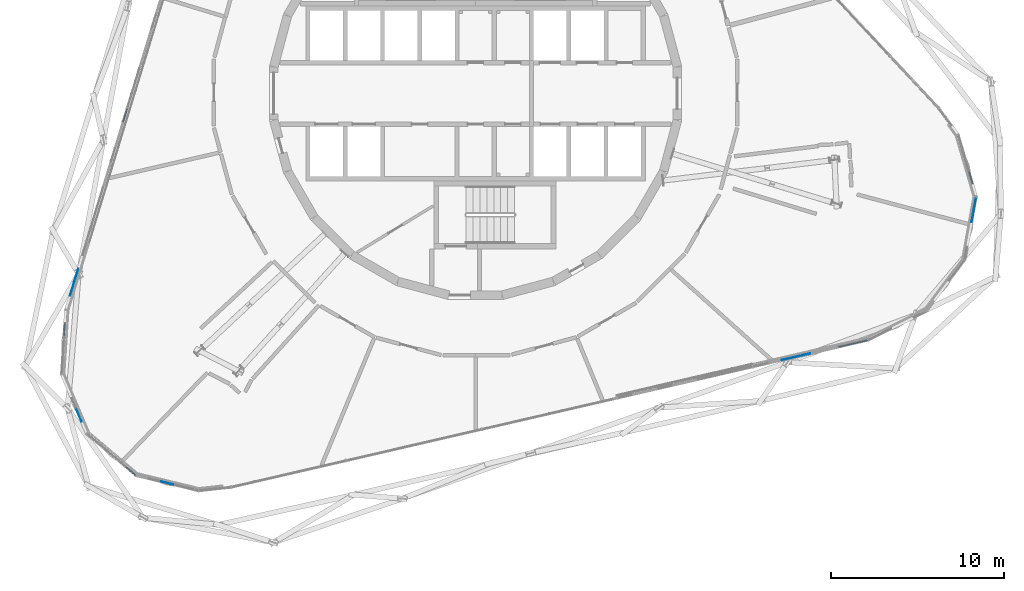
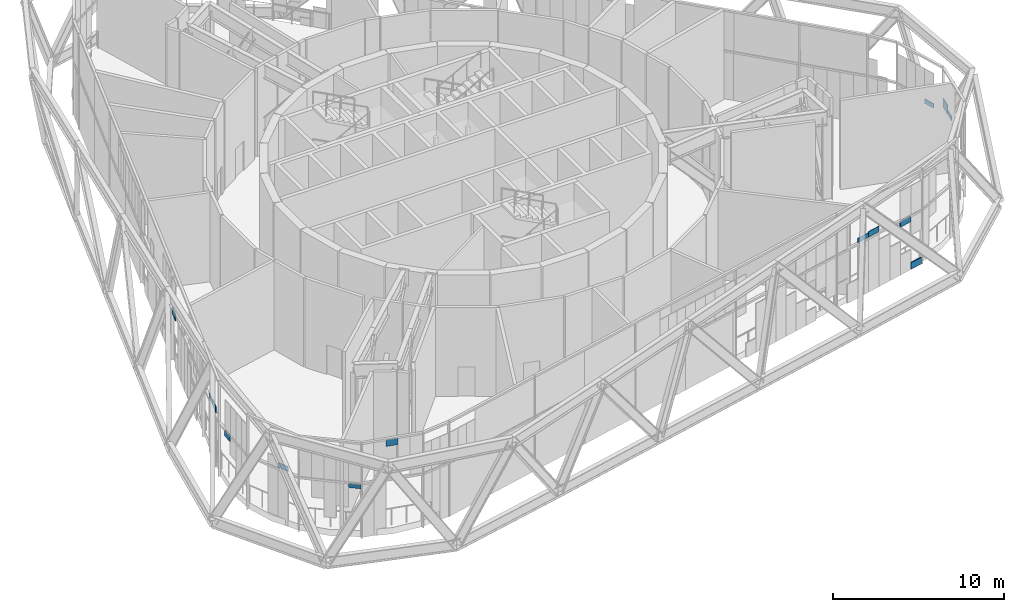
# One storey, part 17 of 25: 14 plates, 3 elements without a shape of their own.
"""IFC4 building model written with IfcOpenShell, lengths in metres."""

import ifcopenshell
import ifcopenshell.guid

model = None  # the IFC model being written
_history = None  # IfcOwnerHistory: only IFC2X3 demands one
_inside = {}  # id of a spatial element -> (the spatial element, [elements in it])
_under = {}  # id of a project, library or spatial element -> (it, [spatial elements below it])
_declared = {}  # id of a project -> (the project, [libraries it declares])
_typed = {}  # id of a type object -> (the type object, [elements of that type])
_made_of = {}  # id of a material, layer set ... -> (it, [elements and type objects made of it])


def new_model(schema):
    """Start an empty IFC model of exactly this schema.

    Asked for "IFC4X3", IfcOpenShell would pick the latest addendum, in which some entities
    have other attributes; the version numbers below select the first issue.
    IFC2X3 requires an IfcOwnerHistory on every rooted entity: one is made here for all.
    """
    global model, _history
    if schema == "IFC4X3":
        model = ifcopenshell.file(schema_version=(4, 3, 0, 0))
    else:
        model = ifcopenshell.file(schema=schema)
    _inside.clear()
    _under.clear()
    _declared.clear()
    _typed.clear()
    _made_of.clear()
    _history = None
    if model.schema == "IFC2X3":
        org = make("IfcOrganization", Name="unknown")
        user = make(
            "IfcPersonAndOrganization",
            ThePerson=make("IfcPerson", FamilyName="unknown"),
            TheOrganization=org,
        )
        app = make(
            "IfcApplication",
            ApplicationDeveloper=org,
            Version="unknown",
            ApplicationFullName="unknown",
            ApplicationIdentifier="unknown",
        )
        _history = make(
            "IfcOwnerHistory",
            OwningUser=user,
            OwningApplication=app,
            ChangeAction="ADDED",
            CreationDate=0,
        )
    return model


def make(cls, **values):
    """One entity of the class cls with the attributes given. An attribute that is None is left unset."""
    return model.create_entity(
        cls, **{name: value for name, value in values.items() if value is not None}
    )


def rooted(cls, **values):
    """An entity with a GlobalId (a new one), such as an element, a storey or a relation."""
    return make(cls, GlobalId=ifcopenshell.guid.new(), OwnerHistory=_history, **values)


def si_unit(unit_type, name, prefix=None):
    """IfcSIUnit, for example si_unit("LENGTHUNIT", "METRE", prefix="MILLI")."""
    return make("IfcSIUnit", UnitType=unit_type, Prefix=prefix, Name=name)


def assignment(units):
    """IfcUnitAssignment: the units of a project."""
    return None if units is None else make("IfcUnitAssignment", Units=units)


def point(xyz):
    """IfcCartesianPoint."""
    return None if xyz is None else make("IfcCartesianPoint", Coordinates=xyz)


def direction(xyz):
    """IfcDirection."""
    return None if xyz is None else make("IfcDirection", DirectionRatios=xyz)


def frame(location, z_axis=None, x_axis=None):
    """IfcAxis2Placement3D, a coordinate frame: its origin and axes. An axis left out is left unset."""
    return make(
        "IfcAxis2Placement3D",
        Location=point(location),
        Axis=direction(z_axis),
        RefDirection=direction(x_axis),
    )


def frame_2d(location, x_axis=None):
    """IfcAxis2Placement2D, a coordinate frame in the plane: its origin and x axis."""
    return make(
        "IfcAxis2Placement2D", Location=point(location), RefDirection=direction(x_axis)
    )


def origin():
    """The frame at (0, 0, 0) with its axes left unset."""
    return frame((0.0, 0.0, 0.0))


def origin_2d():
    """The frame at (0, 0) in the plane with its x axis left unset."""
    return frame_2d((0.0, 0.0))


def place(relative_to, where):
    """IfcLocalPlacement: puts the frame where relative to a parent placement (None: the world)."""
    return make(
        "IfcLocalPlacement", PlacementRelTo=relative_to, RelativePlacement=where
    )


def context(
    kind, dimensions, precision=None, world=None, true_north=None, identifier=None
):
    """IfcGeometricRepresentationContext, for example the 3D "Model" context."""
    return make(
        "IfcGeometricRepresentationContext",
        ContextIdentifier=identifier,
        ContextType=kind,
        CoordinateSpaceDimension=dimensions,
        Precision=precision,
        WorldCoordinateSystem=world,
        TrueNorth=true_north,
    )


def subcontext(parent, identifier, kind, view, scale=None):
    """IfcGeometricRepresentationSubContext, for example "Body" below "Model"."""
    return make(
        "IfcGeometricRepresentationSubContext",
        ContextIdentifier=identifier,
        ContextType=kind,
        ParentContext=parent,
        TargetScale=scale,
        TargetView=view,
    )


def project(units=None, contexts=None):
    """IfcProject with its units and contexts."""
    return rooted(
        "IfcProject",
        Name="project",
        RepresentationContexts=contexts,
        UnitsInContext=assignment(units),
    )


def spatial(cls, under=None, at=None, **own):
    """A site, building, storey or space (cls), placed at a placement, below another one or the project."""
    s = rooted(cls, ObjectPlacement=at, **own)
    if under is not None:
        _under.setdefault(under.id(), (under, []))[1].append(s)
    return s


def profile(cls, at=None, kind="AREA", **sizes):
    """A parametric profile (cls). Its sizes go by their IFC names, for example OverallWidth=200.0."""
    return make(cls, ProfileType=kind, Position=at, **sizes)


def rectangle(**sizes):
    """IfcRectangleProfileDef."""
    return profile("IfcRectangleProfileDef", **sizes)


def extrude(swept, where, along, depth):
    """IfcExtrudedAreaSolid: the profile swept, set in the frame where, extruded along a direction by depth."""
    return make(
        "IfcExtrudedAreaSolid",
        SweptArea=swept,
        Position=where,
        ExtrudedDirection=direction(along),
        Depth=depth,
    )


def shape(context_of_items, identifier, shape_type, items):
    """IfcShapeRepresentation: the items that make up one representation, for example the "Body"."""
    return make(
        "IfcShapeRepresentation",
        ContextOfItems=context_of_items,
        RepresentationIdentifier=identifier,
        RepresentationType=shape_type,
        Items=items,
    )


def material(Name=None, Category=None):
    """IfcMaterial."""
    return make("IfcMaterial", Name=Name, Category=Category)


def layer(
    of_material, thickness, ventilated=None, Name=None, Category=None, Priority=None
):
    """IfcMaterialLayer: one layer of a wall or slab, of a material (None: an air gap)."""
    return make(
        "IfcMaterialLayer",
        Material=of_material,
        LayerThickness=thickness,
        IsVentilated=ventilated,
        Name=Name,
        Category=Category,
        Priority=Priority,
    )


def layer_set(layers, Name=None):
    """IfcMaterialLayerSet."""
    return make("IfcMaterialLayerSet", MaterialLayers=layers, LayerSetName=Name)


def made_of(thing, what):
    """Note that an element or type object is made of a material, layer set ...; save() writes the relation."""
    if what is not None:
        _made_of.setdefault(what.id(), (what, []))[1].append(thing)
    return thing


def type_object(cls, material=None, **own):
    """A type object (cls), such as IfcWallType, which elements share."""
    return made_of(rooted(cls, **own), material)


def element(
    cls,
    number,
    at=None,
    inside=None,
    cuts=None,
    type_object=None,
    material=None,
    context=None,
    identifier="Body",
    shape_type=None,
    held_by="IfcProductDefinitionShape",
    body=None,
    shapes=None,
    **own,
):
    """One element of the class cls, such as IfcWall. Its Tag is "e" and its number.

    at: its placement. inside: the storey or other place that contains it. cuts: it is an
    opening in that element (IfcRelVoidsElement). A single representation is given by context,
    identifier, shape_type and body (its items); several are given by shapes. held_by: the class
    of the entity that holds the representations. save() writes the other relations.
    """
    e = rooted(cls, Tag="e%d" % number, ObjectPlacement=at, **own)
    if body is not None:
        shapes = [shape(context, identifier, shape_type, body)]
    if shapes is not None:
        e.Representation = make(held_by, Representations=shapes)
    if inside is not None:
        _inside.setdefault(inside.id(), (inside, []))[1].append(e)
    if cuts is not None:
        rooted(
            "IfcRelVoidsElement", RelatingBuildingElement=cuts, RelatedOpeningElement=e
        )
    if type_object is not None:
        _typed.setdefault(type_object.id(), (type_object, []))[1].append(e)
    return made_of(e, material)


def aggregate(whole, parts):
    """IfcRelAggregates: a whole, such as a stair, and the parts it consists of."""
    return rooted("IfcRelAggregates", RelatingObject=whole, RelatedObjects=parts)


def save(model, path):
    """Write the relations noted so far, then the file.

    IfcRelAggregates (storeys below a building ...), IfcRelContainedInSpatialStructure (elements
    in a storey), IfcRelDefinesByType, IfcRelAssociatesMaterial and IfcRelDeclares: one each for
    every whole, place, type object, material and project.
    """
    for whole, parts in _under.values():
        aggregate(whole, parts)
    for where, things in _inside.values():
        rooted(
            "IfcRelContainedInSpatialStructure",
            RelatedElements=things,
            RelatingStructure=where,
        )
    for kind, things in _typed.values():
        rooted("IfcRelDefinesByType", RelatedObjects=things, RelatingType=kind)
    for what, things in _made_of.values():
        rooted("IfcRelAssociatesMaterial", RelatedObjects=things, RelatingMaterial=what)
    for by, libraries in _declared.values():
        rooted("IfcRelDeclares", RelatingContext=by, RelatedDefinitions=libraries)
    model.write(path)


model = new_model("IFC4")

# Units and contexts
model_context = context("Model", 3, precision=1e-05, world=origin(), true_north=direction((0.0, 1.0)))
body_context = subcontext(model_context, "Body", "Model", "MODEL_VIEW")
ifc_project = project(units=[si_unit("LENGTHUNIT", "METRE"), si_unit("AREAUNIT", "SQUARE_METRE"), si_unit("VOLUMEUNIT", "CUBIC_METRE"), si_unit("PLANEANGLEUNIT", "RADIAN"), si_unit("MASSUNIT", "GRAM", prefix="KILO")], contexts=[model_context])

# Site, building, storey
site_placement = place(None, origin())
site = spatial("IfcSite", under=ifc_project, at=site_placement, CompositionType="ELEMENT")
building_placement = place(site_placement, origin())
building = spatial("IfcBuilding", under=site, at=building_placement, Name="Spindle Arch Residences", CompositionType="ELEMENT")
storey_placement = place(building_placement, frame((0.0, 0.0, 144.89990234375)))
storey = spatial("IfcBuildingStorey", under=building, at=storey_placement, Name="L36", CompositionType="ELEMENT", Elevation=144.89990234375)

# Curtain wall, plates
ifc_material_1 = material(Name="Aluminium bronze unitised frame with tinted glass", Category="aluminium")
ifc_layer_1 = layer(ifc_material_1, 0.159912109375)
ifc_layer_set_1 = layer_set([ifc_layer_1], Name="CW-E double-height winter garden wall")
curtain_wall_type = type_object("IfcCurtainWallType", Name="CW-E double-height winter garden wall", PredefinedType="NOTDEFINED", material=ifc_layer_set_1)
curtain_wall_1_placement = place(storey_placement, origin())
curtain_wall_1 = element("IfcCurtainWall", 1, at=curtain_wall_1_placement, inside=storey, type_object=curtain_wall_type, Name="CW-E L36 run 1", PredefinedType="NOTDEFINED")
ifc_material_2 = material(Name="Tinted laminated glass 28 mm", Category="glass")
ifc_layer_2 = layer(ifc_material_2, 0.028076171875)
ifc_layer_set_2 = layer_set([ifc_layer_2], Name="Tinted glass panel 28 mm")
plate_type_1 = type_object("IfcPlateType", Name="Tinted glass panel 28 mm", PredefinedType="CURTAIN_PANEL", material=ifc_layer_set_2)
plate_1_placement = place(storey_placement, frame((18.090087890625, -15.29345703125, 3.4599609375), z_axis=(0.0, 0.0, 1.0), x_axis=(0.974370064785, 0.224951054344, 0.0)))
plate_1 = element("IfcPlate", 2, at=plate_1_placement, type_object=plate_type_1, Name="CW-E panel 00b.2", PredefinedType="CURTAIN_PANEL", context=body_context, shape_type="SweptSolid", body=[
    extrude(rectangle(XDim=0.844970703125, YDim=0.028076171875, at=origin_2d()), origin(), (0.0, 0.0, 1.0), 0.31103515625),
])
plate_2_placement = place(storey_placement, frame((18.91357421875, -15.103515625, 3.4599609375), z_axis=(0.0, 0.0, 1.0), x_axis=(0.974370064785, 0.224951054344, 0.0)))
plate_2 = element("IfcPlate", 3, at=plate_2_placement, type_object=plate_type_1, Name="CW-E panel 00b.3", PredefinedType="CURTAIN_PANEL", context=body_context, shape_type="SweptSolid", body=[
    extrude(rectangle(XDim=0.844970703125, YDim=0.028076171875, at=origin_2d()), origin(), (0.0, 0.0, 1.0), 0.384521484375),
])
plate_3_placement = place(storey_placement, frame((28.6962890625, -7.05712890625, 3.4599609375), z_axis=(0.0, 0.0, 1.0), x_axis=(0.17937458782, 0.983780848179, 0.0)))
plate_3 = element("IfcPlate", 4, at=plate_3_placement, type_object=plate_type_1, Name="CW-E panel 03b.2", PredefinedType="CURTAIN_PANEL", context=body_context, shape_type="SweptSolid", body=[
    extrude(rectangle(XDim=0.7333984375, YDim=0.028076171875, at=origin_2d()), origin(), (0.0, 0.0, 1.0), 0.321533203125),
])
plate_4_placement = place(storey_placement, frame((28.827880859375, -6.335693359375, 3.4599609375), z_axis=(0.0, 0.0, 1.0), x_axis=(0.17937458782, 0.983780848179, 0.0)))
plate_4 = element("IfcPlate", 5, at=plate_4_placement, type_object=plate_type_1, Name="CW-E panel 03b.3", PredefinedType="CURTAIN_PANEL", context=body_context, shape_type="SweptSolid", body=[
    extrude(rectangle(XDim=0.7333984375, YDim=0.028076171875, at=origin_2d()), origin(), (0.0, 0.0, 1.0), 0.666748046875),
])

curtain_wall_2_placement = place(storey_placement, origin())
curtain_wall_2 = element("IfcCurtainWall", 6, at=curtain_wall_2_placement, inside=storey, type_object=curtain_wall_type, Name="CW-E L36 run 5", PredefinedType="NOTDEFINED")
plate_5_placement = place(storey_placement, frame((-23.051513671875, -10.511474609375, 3.4599609375), z_axis=(0.0, 0.0, 1.0), x_axis=(-0.292371704723, -0.956304755963, 0.0)))
plate_5 = element("IfcPlate", 7, at=plate_5_placement, type_object=plate_type_1, Name="CW-E panel 00b.2", PredefinedType="CURTAIN_PANEL", context=body_context, shape_type="SweptSolid", body=[
    extrude(rectangle(XDim=0.816650390625, YDim=0.028076171875, at=origin_2d()), origin(), (0.0, 0.0, 1.0), 0.290771484375),
])
plate_6_placement = place(storey_placement, frame((-23.290283203125, -11.29248046875, 3.460205078125), z_axis=(0.0, 0.0, 1.0), x_axis=(-0.292371704723, -0.956304755963, 0.0)))
plate_6 = element("IfcPlate", 8, at=plate_6_placement, type_object=plate_type_1, Name="CW-E panel 00b.3", PredefinedType="CURTAIN_PANEL", context=body_context, shape_type="SweptSolid", body=[
    extrude(rectangle(XDim=0.816650390625, YDim=0.028076171875, at=origin_2d()), origin(), (0.0, 0.0, 1.0), 0.423828125),
])
plate_7_placement = place(storey_placement, frame((-22.880859375, -18.602294921875, 3.4599609375), z_axis=(0.0, 0.0, 1.0), x_axis=(0.390731127124, -0.920504854032, 0.0)))
plate_7 = element("IfcPlate", 9, at=plate_7_placement, type_object=plate_type_1, Name="CW-E panel 02b.2", PredefinedType="CURTAIN_PANEL", context=body_context, shape_type="SweptSolid", body=[
    extrude(rectangle(XDim=0.7333984375, YDim=0.028076171875, at=origin_2d()), origin(), (0.0, 0.0, 1.0), 0.369384765625),
])
plate_8_placement = place(storey_placement, frame((-17.79736328125, -22.492431640625, 5.7578125), z_axis=(0.0, 0.0, 1.0), x_axis=(0.971686742139, -0.23627288281, 0.0)))
plate_8 = element("IfcPlate", 10, at=plate_8_placement, type_object=plate_type_1, Name="CW-E panel 04b.2", PredefinedType="CURTAIN_PANEL", context=body_context, shape_type="SweptSolid", body=[
    extrude(rectangle(XDim=0.7294921875, YDim=0.028076171875, at=origin_2d()), origin(), (0.0, 0.0, 1.0), 0.47216796875),
])

# Plate
ifc_material_3 = material(Name="Tinted double glazing over aluminium faced non-combustible spandrel zone (K0)", Category="aluminium")
ifc_layer_3 = layer(ifc_material_3, 0.06005859375)
ifc_layer_set_3 = layer_set([ifc_layer_3], Name="Unitised glass panel with E 60 spandrel zone")
plate_type_2 = type_object("IfcPlateType", Name="Unitised glass panel with E 60 spandrel zone", PredefinedType="CURTAIN_PANEL", material=ifc_layer_set_3)
plate_9_placement = place(storey_placement, frame((21.383544921875, -14.533203125, 2.961669921875), z_axis=(0.0, 0.0, 1.0), x_axis=(0.974370064785, 0.224951054344, 0.0)))
plate_9 = element("IfcPlate", 11, at=plate_9_placement, type_object=plate_type_2, Name="CW-E panel 00a.7", PredefinedType="CURTAIN_PANEL", context=body_context, shape_type="SweptSolid", body=[
    extrude(rectangle(XDim=0.844970703125, YDim=0.06005859375, at=origin_2d()), origin(), (0.0, 0.0, 1.0), 0.37841796875),
])

plate_10_placement = place(storey_placement, frame((22.206787109375, -14.343017578125, -0.44970703125), z_axis=(0.0, 0.0, 1.0), x_axis=(0.974370064785, 0.224951054344, 0.0)))
plate_10 = element("IfcPlate", 12, at=plate_10_placement, type_object=plate_type_2, Name="CW-E panel 00a.8", PredefinedType="CURTAIN_PANEL", context=body_context, shape_type="SweptSolid", body=[
    extrude(rectangle(XDim=0.844970703125, YDim=0.06005859375, at=origin_2d()), origin(), (0.0, 0.0, 1.0), 0.476806640625),
])

plate_11_placement = place(storey_placement, frame((28.5810546875, -4.861083984375, 3.0302734375), z_axis=(0.0, 0.0, 1.0), x_axis=(-0.281225052549, 0.959641844554, 0.0)))
plate_11 = element("IfcPlate", 13, at=plate_11_placement, type_object=plate_type_2, Name="CW-E panel 04a.1", PredefinedType="CURTAIN_PANEL", context=body_context, shape_type="SweptSolid", body=[
    extrude(rectangle(XDim=0.7333984375, YDim=0.06005859375, at=origin_2d()), origin(), (0.0, 0.0, 1.0), 0.309814453125),
])

aggregate(curtain_wall_1, [plate_9, plate_10, plate_1, plate_2, plate_3, plate_4, plate_11])

# Curtain wall, plate
curtain_wall_3_placement = place(storey_placement, origin())
curtain_wall_3 = element("IfcCurtainWall", 14, at=curtain_wall_3_placement, inside=storey, type_object=curtain_wall_type, Name="CW-E L36 run 4", PredefinedType="NOTDEFINED")
plate_12_placement = place(storey_placement, frame((-20.223388671875, -1.26171875, 2.8818359375), z_axis=(0.0, 0.0, 1.0), x_axis=(-0.292371704723, -0.956304755963, 0.0)))
plate_12 = element("IfcPlate", 15, at=plate_12_placement, type_object=plate_type_2, Name="CW-E panel 15Aa.1", PredefinedType="CURTAIN_PANEL", context=body_context, shape_type="SweptSolid", body=[
    extrude(rectangle(XDim=0.796875, YDim=0.06005859375, at=origin_2d()), origin(), (0.0, 0.0, 1.0), 0.458251953125),
])
aggregate(curtain_wall_3, [plate_12])

# Plate
plate_13_placement = place(storey_placement, frame((-23.7294921875, -13.62060546875, 2.921630859375), z_axis=(0.0, 0.0, 1.0), x_axis=(-0.063951729226, -0.997952993046, 0.0)))
plate_13 = element("IfcPlate", 16, at=plate_13_placement, type_object=plate_type_2, Name="CW-E panel 01a.1", PredefinedType="CURTAIN_PANEL", context=body_context, shape_type="SweptSolid", body=[
    extrude(rectangle(XDim=0.7333984375, YDim=0.06005859375, at=origin_2d()), origin(), (0.0, 0.0, 1.0), 0.41845703125),
])

plate_14_placement = place(storey_placement, frame((-19.90087890625, -21.7978515625, 3.0439453125), z_axis=(0.0, 0.0, 1.0), x_axis=(0.762291912042, -0.647233374321, 0.0)))
plate_14 = element("IfcPlate", 17, at=plate_14_placement, type_object=plate_type_2, Name="CW-E panel 03a.4", PredefinedType="CURTAIN_PANEL", context=body_context, shape_type="SweptSolid", body=[
    extrude(rectangle(XDim=0.7333984375, YDim=0.06005859375, at=origin_2d()), origin(), (0.0, 0.0, 1.0), 0.296142578125),
])

aggregate(curtain_wall_2, [plate_5, plate_6, plate_13, plate_7, plate_14, plate_8])

save(model, "model.ifc")
